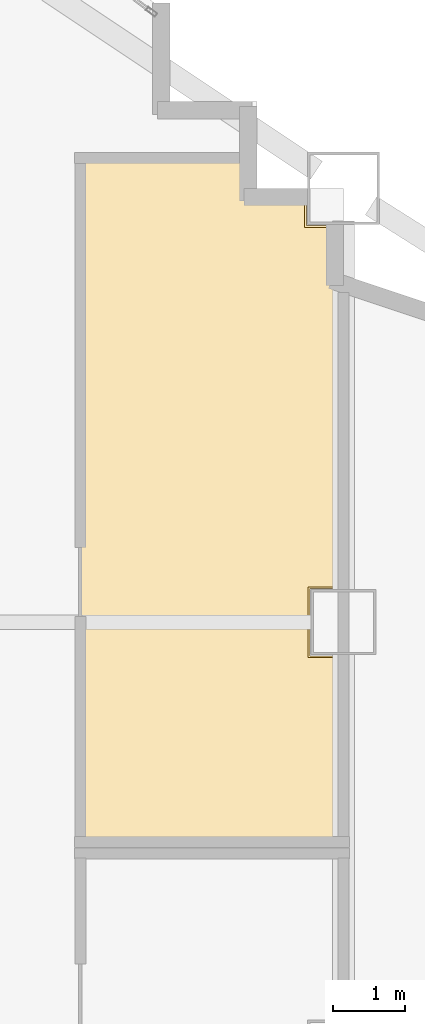
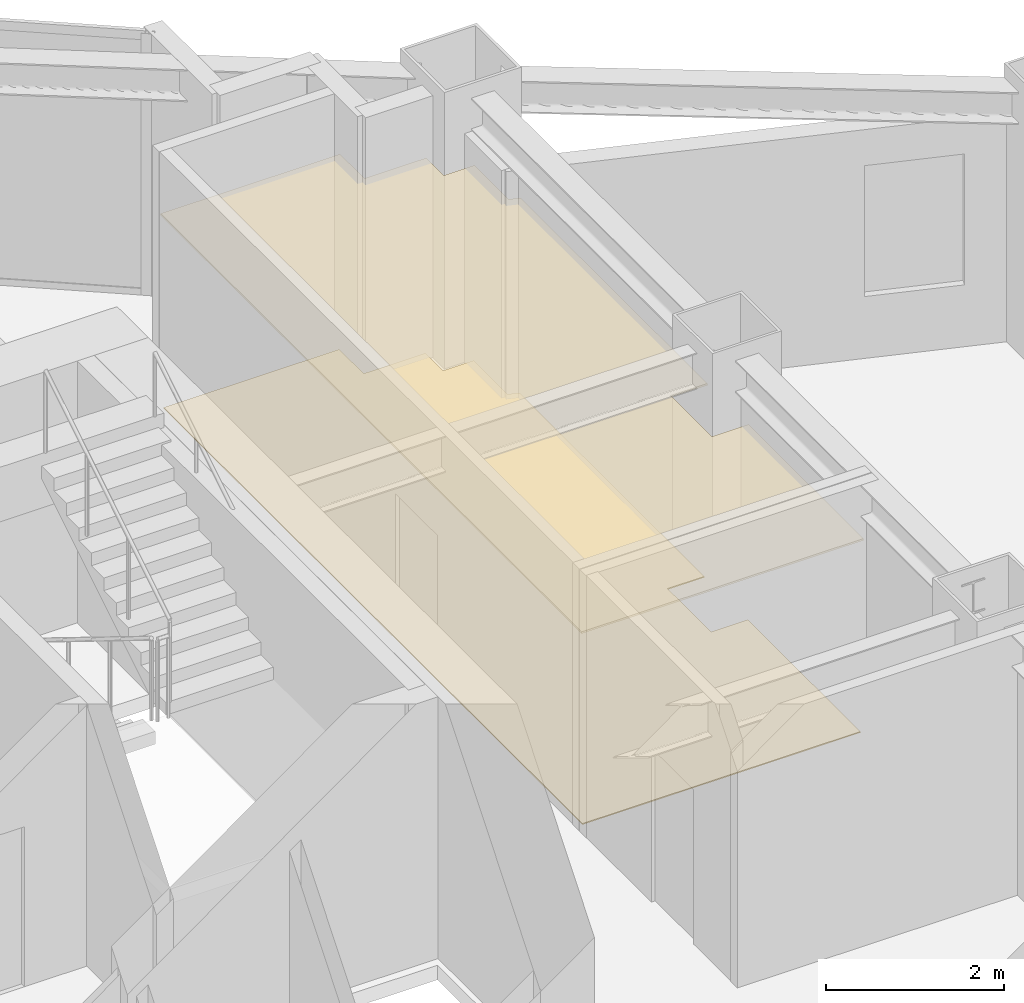
# One storey, part 14 of 14: 2 coverings.
"""IFC4 building model written with IfcOpenShell, lengths in metres."""

import ifcopenshell
import ifcopenshell.guid

model = None  # the IFC model being written
_history = None  # IfcOwnerHistory: only IFC2X3 demands one
_inside = {}  # id of a spatial element -> (the spatial element, [elements in it])
_under = {}  # id of a project, library or spatial element -> (it, [spatial elements below it])
_declared = {}  # id of a project -> (the project, [libraries it declares])
_typed = {}  # id of a type object -> (the type object, [elements of that type])
_made_of = {}  # id of a material, layer set ... -> (it, [elements and type objects made of it])


def new_model(schema):
    """Start an empty IFC model of exactly this schema.

    Asked for "IFC4X3", IfcOpenShell would pick the latest addendum, in which some entities
    have other attributes; the version numbers below select the first issue.
    IFC2X3 requires an IfcOwnerHistory on every rooted entity: one is made here for all.
    """
    global model, _history
    if schema == "IFC4X3":
        model = ifcopenshell.file(schema_version=(4, 3, 0, 0))
    else:
        model = ifcopenshell.file(schema=schema)
    _inside.clear()
    _under.clear()
    _declared.clear()
    _typed.clear()
    _made_of.clear()
    _history = None
    if model.schema == "IFC2X3":
        org = make("IfcOrganization", Name="unknown")
        user = make(
            "IfcPersonAndOrganization",
            ThePerson=make("IfcPerson", FamilyName="unknown"),
            TheOrganization=org,
        )
        app = make(
            "IfcApplication",
            ApplicationDeveloper=org,
            Version="unknown",
            ApplicationFullName="unknown",
            ApplicationIdentifier="unknown",
        )
        _history = make(
            "IfcOwnerHistory",
            OwningUser=user,
            OwningApplication=app,
            ChangeAction="ADDED",
            CreationDate=0,
        )
    return model


def make(cls, **values):
    """One entity of the class cls with the attributes given. An attribute that is None is left unset."""
    return model.create_entity(
        cls, **{name: value for name, value in values.items() if value is not None}
    )


def rooted(cls, **values):
    """An entity with a GlobalId (a new one), such as an element, a storey or a relation."""
    return make(cls, GlobalId=ifcopenshell.guid.new(), OwnerHistory=_history, **values)


def si_unit(unit_type, name, prefix=None):
    """IfcSIUnit, for example si_unit("LENGTHUNIT", "METRE", prefix="MILLI")."""
    return make("IfcSIUnit", UnitType=unit_type, Prefix=prefix, Name=name)


def assignment(units):
    """IfcUnitAssignment: the units of a project."""
    return None if units is None else make("IfcUnitAssignment", Units=units)


def point(xyz):
    """IfcCartesianPoint."""
    return None if xyz is None else make("IfcCartesianPoint", Coordinates=xyz)


def direction(xyz):
    """IfcDirection."""
    return None if xyz is None else make("IfcDirection", DirectionRatios=xyz)


def frame(location, z_axis=None, x_axis=None):
    """IfcAxis2Placement3D, a coordinate frame: its origin and axes. An axis left out is left unset."""
    return make(
        "IfcAxis2Placement3D",
        Location=point(location),
        Axis=direction(z_axis),
        RefDirection=direction(x_axis),
    )


def origin():
    """The frame at (0, 0, 0) with its axes left unset."""
    return frame((0.0, 0.0, 0.0))


def place(relative_to, where):
    """IfcLocalPlacement: puts the frame where relative to a parent placement (None: the world)."""
    return make(
        "IfcLocalPlacement", PlacementRelTo=relative_to, RelativePlacement=where
    )


def context(
    kind, dimensions, precision=None, world=None, true_north=None, identifier=None
):
    """IfcGeometricRepresentationContext, for example the 3D "Model" context."""
    return make(
        "IfcGeometricRepresentationContext",
        ContextIdentifier=identifier,
        ContextType=kind,
        CoordinateSpaceDimension=dimensions,
        Precision=precision,
        WorldCoordinateSystem=world,
        TrueNorth=true_north,
    )


def subcontext(parent, identifier, kind, view, scale=None):
    """IfcGeometricRepresentationSubContext, for example "Body" below "Model"."""
    return make(
        "IfcGeometricRepresentationSubContext",
        ContextIdentifier=identifier,
        ContextType=kind,
        ParentContext=parent,
        TargetScale=scale,
        TargetView=view,
    )


def project(units=None, contexts=None):
    """IfcProject with its units and contexts."""
    return rooted(
        "IfcProject",
        Name="project",
        RepresentationContexts=contexts,
        UnitsInContext=assignment(units),
    )


def spatial(cls, under=None, at=None, **own):
    """A site, building, storey or space (cls), placed at a placement, below another one or the project."""
    s = rooted(cls, ObjectPlacement=at, **own)
    if under is not None:
        _under.setdefault(under.id(), (under, []))[1].append(s)
    return s


def polyline(points):
    """IfcPolyline through the points."""
    return make("IfcPolyline", Points=[point(p) for p in points])


def outline(outer, holes=None, kind="AREA"):
    """IfcArbitraryClosedProfileDef: a profile drawn as a closed curve; with holes, ...WithVoids."""
    if holes is None:
        return make("IfcArbitraryClosedProfileDef", ProfileType=kind, OuterCurve=outer)
    return make(
        "IfcArbitraryProfileDefWithVoids",
        ProfileType=kind,
        OuterCurve=outer,
        InnerCurves=holes,
    )


def extrude(swept, where, along, depth):
    """IfcExtrudedAreaSolid: the profile swept, set in the frame where, extruded along a direction by depth."""
    return make(
        "IfcExtrudedAreaSolid",
        SweptArea=swept,
        Position=where,
        ExtrudedDirection=direction(along),
        Depth=depth,
    )


def shape(context_of_items, identifier, shape_type, items):
    """IfcShapeRepresentation: the items that make up one representation, for example the "Body"."""
    return make(
        "IfcShapeRepresentation",
        ContextOfItems=context_of_items,
        RepresentationIdentifier=identifier,
        RepresentationType=shape_type,
        Items=items,
    )


def material(Name=None, Category=None):
    """IfcMaterial."""
    return make("IfcMaterial", Name=Name, Category=Category)


def layer(
    of_material, thickness, ventilated=None, Name=None, Category=None, Priority=None
):
    """IfcMaterialLayer: one layer of a wall or slab, of a material (None: an air gap)."""
    return make(
        "IfcMaterialLayer",
        Material=of_material,
        LayerThickness=thickness,
        IsVentilated=ventilated,
        Name=Name,
        Category=Category,
        Priority=Priority,
    )


def layer_set(layers, Name=None):
    """IfcMaterialLayerSet."""
    return make("IfcMaterialLayerSet", MaterialLayers=layers, LayerSetName=Name)


def made_of(thing, what):
    """Note that an element or type object is made of a material, layer set ...; save() writes the relation."""
    if what is not None:
        _made_of.setdefault(what.id(), (what, []))[1].append(thing)
    return thing


def type_object(cls, material=None, **own):
    """A type object (cls), such as IfcWallType, which elements share."""
    return made_of(rooted(cls, **own), material)


def element(
    cls,
    number,
    at=None,
    inside=None,
    cuts=None,
    type_object=None,
    material=None,
    context=None,
    identifier="Body",
    shape_type=None,
    held_by="IfcProductDefinitionShape",
    body=None,
    shapes=None,
    **own,
):
    """One element of the class cls, such as IfcWall. Its Tag is "e" and its number.

    at: its placement. inside: the storey or other place that contains it. cuts: it is an
    opening in that element (IfcRelVoidsElement). A single representation is given by context,
    identifier, shape_type and body (its items); several are given by shapes. held_by: the class
    of the entity that holds the representations. save() writes the other relations.
    """
    e = rooted(cls, Tag="e%d" % number, ObjectPlacement=at, **own)
    if body is not None:
        shapes = [shape(context, identifier, shape_type, body)]
    if shapes is not None:
        e.Representation = make(held_by, Representations=shapes)
    if inside is not None:
        _inside.setdefault(inside.id(), (inside, []))[1].append(e)
    if cuts is not None:
        rooted(
            "IfcRelVoidsElement", RelatingBuildingElement=cuts, RelatedOpeningElement=e
        )
    if type_object is not None:
        _typed.setdefault(type_object.id(), (type_object, []))[1].append(e)
    return made_of(e, material)


def aggregate(whole, parts):
    """IfcRelAggregates: a whole, such as a stair, and the parts it consists of."""
    return rooted("IfcRelAggregates", RelatingObject=whole, RelatedObjects=parts)


def save(model, path):
    """Write the relations noted so far, then the file.

    IfcRelAggregates (storeys below a building ...), IfcRelContainedInSpatialStructure (elements
    in a storey), IfcRelDefinesByType, IfcRelAssociatesMaterial and IfcRelDeclares: one each for
    every whole, place, type object, material and project.
    """
    for whole, parts in _under.values():
        aggregate(whole, parts)
    for where, things in _inside.values():
        rooted(
            "IfcRelContainedInSpatialStructure",
            RelatedElements=things,
            RelatingStructure=where,
        )
    for kind, things in _typed.values():
        rooted("IfcRelDefinesByType", RelatedObjects=things, RelatingType=kind)
    for what, things in _made_of.values():
        rooted("IfcRelAssociatesMaterial", RelatedObjects=things, RelatingMaterial=what)
    for by, libraries in _declared.values():
        rooted("IfcRelDeclares", RelatingContext=by, RelatedDefinitions=libraries)
    model.write(path)


model = new_model("IFC4")

# Units and contexts
model_context = context("Model", 3, precision=1e-05, world=origin(), true_north=direction((0.0, 1.0)))
body_context = subcontext(model_context, "Body", "Model", "MODEL_VIEW")
ifc_project = project(units=[si_unit("LENGTHUNIT", "METRE"), si_unit("AREAUNIT", "SQUARE_METRE"), si_unit("VOLUMEUNIT", "CUBIC_METRE"), si_unit("PLANEANGLEUNIT", "RADIAN"), si_unit("MASSUNIT", "GRAM", prefix="KILO")], contexts=[model_context])

# Site, building, storey
site_placement = place(None, origin())
site = spatial("IfcSite", under=ifc_project, at=site_placement, CompositionType="ELEMENT")
building_placement = place(site_placement, origin())
building = spatial("IfcBuilding", under=site, at=building_placement, Name="Haolan Belvedere Tower", CompositionType="ELEMENT")
storey_placement = place(building_placement, frame((0.0, 0.0, 98.39990234375)))
storey = spatial("IfcBuildingStorey", under=building, at=storey_placement, Name="L24", CompositionType="ELEMENT", Elevation=98.39990234375)

# Coverings
ifc_material_1 = material(Name="Acoustic mineral-fibre suspended ceiling system", Category="masonry")
ifc_layer_1 = layer(ifc_material_1, 0.02490234375, Name="Acoustic mineral-fibre suspended ceiling system")
ifc_layer_set_1 = layer_set([ifc_layer_1], Name="Acoustic mineral-fibre suspended ceiling system")
covering_type_1 = type_object("IfcCoveringType", Name="COV-CEIL-AC25", PredefinedType="CEILING", material=ifc_layer_set_1)
covering_1_placement = place(storey_placement, frame((0.0, 0.0, 2.650146484375)))
element("IfcCovering", 1, at=covering_1_placement, inside=storey, type_object=covering_type_1, Name="L24 suspended acoustic ceiling L24-SAL.3", PredefinedType="CEILING", context=body_context, shape_type="SweptSolid", body=[
    extrude(outline(polyline([(51.48193359375, 46.031982421875), (49.14794921875, 46.031982421875), (49.14794921875, 36.548095703125), (52.81201171875, 36.548095703125), (52.81201171875, 39.135009765625), (52.3349609375, 39.135009765625), (52.3349609375, 40.06494140625), (52.81201171875, 40.06494140625), (52.81201171875, 44.271728515625), (52.681884765625, 44.31494140625), (52.681884765625, 45.0849609375), (52.284912109375, 45.0849609375), (52.284912109375, 45.48193359375), (51.48193359375, 45.48193359375), (51.48193359375, 46.031982421875)])), origin(), (0.0, 0.0, 1.0), 0.02490234375),
])
ifc_material_2 = material(Name="Honed terrazzo and natural granite stone flooring", Category="masonry")
ifc_layer_2 = layer(ifc_material_2, 0.014892578125, Name="Honed terrazzo and natural granite stone flooring")
ifc_layer_set_2 = layer_set([ifc_layer_2], Name="Honed terrazzo and natural granite stone flooring")
covering_type_2 = type_object("IfcCoveringType", Name="COV-FLR-STN30", PredefinedType="FLOORING", material=ifc_layer_set_2)
covering_2_placement = place(storey_placement, origin())
element("IfcCovering", 2, at=covering_2_placement, inside=storey, type_object=covering_type_2, Name="L24 polished stone floor finish L24-SAL.3", PredefinedType="FLOORING", context=body_context, shape_type="SweptSolid", body=[
    extrude(outline(polyline([(49.173095703125, 46.007080078125), (49.173095703125, 36.572998046875), (52.787109375, 36.572998046875), (52.787109375, 39.110107421875), (52.31005859375, 39.110107421875), (52.31005859375, 40.090087890625), (52.787109375, 40.090087890625), (52.787109375, 44.253662109375), (52.656982421875, 44.297119140625), (52.656982421875, 45.06005859375), (52.260009765625, 45.06005859375), (52.260009765625, 45.45703125), (51.45703125, 45.45703125), (51.45703125, 46.007080078125), (49.173095703125, 46.007080078125)])), origin(), (0.0, 0.0, 1.0), 0.01513671875),
])

save(model, "model.ifc")
